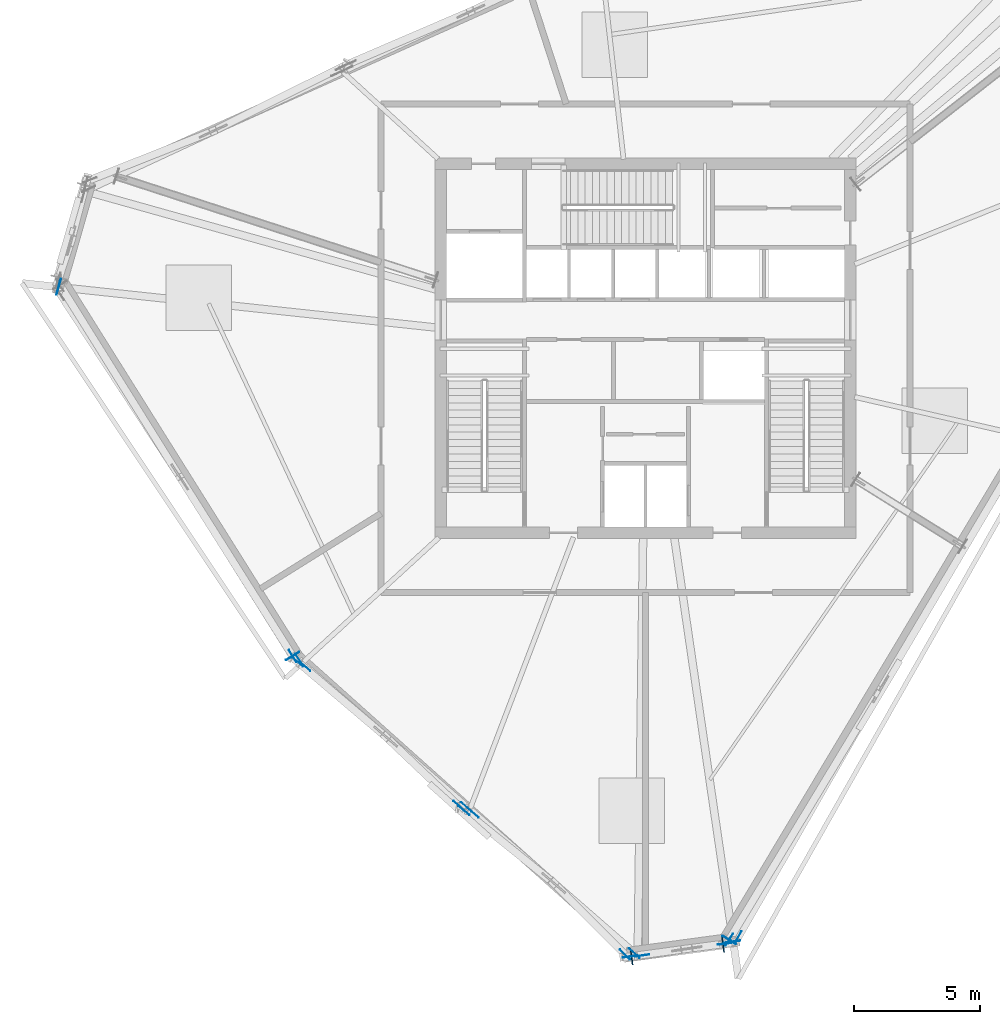
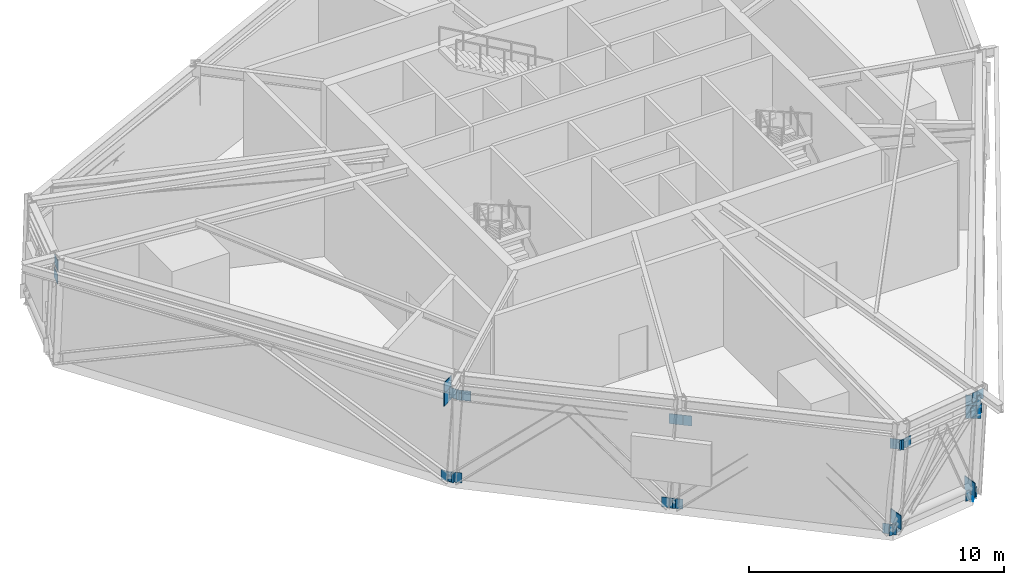
# One storey, part 5 of 15: 26 plates.
"""IFC4 building model written with IfcOpenShell, lengths in metres."""

from ifc_helpers import new_model, si_unit, direction, frame, origin, origin_2d, place, context, subcontext, project, spatial, rectangle, extrude, source, transform, mapped, material, type_object, element, save


model = new_model("IFC4")

# Units and contexts
model_context = context("Model", 3, precision=1e-05, world=origin(), true_north=direction((0.0, 1.0)))
body_context = subcontext(model_context, "Body", "Model", "MODEL_VIEW")
ifc_project = project(units=[si_unit("LENGTHUNIT", "METRE"), si_unit("AREAUNIT", "SQUARE_METRE"), si_unit("VOLUMEUNIT", "CUBIC_METRE"), si_unit("PLANEANGLEUNIT", "RADIAN"), si_unit("MASSUNIT", "GRAM", prefix="KILO")], contexts=[model_context])

# Site, building, storey
site_placement = place(None, origin())
site = spatial("IfcSite", under=ifc_project, at=site_placement, CompositionType="ELEMENT")
building_placement = place(site_placement, origin())
building = spatial("IfcBuilding", under=site, at=building_placement, Name="Olszyna Solenne Hotel", CompositionType="ELEMENT")
storey_placement = place(building_placement, frame((0.0, 0.0, 204.300048828125)))
storey = spatial("IfcBuildingStorey", under=building, at=storey_placement, Name="L54", CompositionType="ELEMENT", Elevation=204.300048828125)

# Plates
ifc_material_1 = material(Name="Steel S460M", Category="steel")
plate_type_1 = type_object("IfcPlateType", Name="GP-CAP2", PredefinedType="USERDEFINED", material=ifc_material_1)
shared_shape_1 = source(origin(), body_context, "Body", "SweptSolid", [
    extrude(rectangle(XDim=0.030029296875, YDim=0.6201171875, at=origin_2d()), origin(), (0.0, 0.0, 1.0), 0.6201171875),
])
for number, where, z_axis, x_axis, name in (
    (1, (23.993408203125, 14.382568359375, 3.619873046875), (0.0, 0.0, 1.0), (0.531398579518, -0.847121921382, 0.0), "Hollow section end-cap plate GP-CAP2 CP-WT-WT-L54-21-2"),
    (2, (23.993408203125, 14.382568359375, 4.119873046875), (0.0, 0.0, 1.0), (0.531398579518, -0.847121921382, 0.0), "Hollow section end-cap plate GP-CAP2 CP-WT-WT-L54-22-2"),
    (3, (41.318603515625, 3.11279296875, 3.619873046875), (0.0, 0.0, 1.0), (0.513691004814, 0.857975262798, 0.0), "Hollow section end-cap plate GP-CAP2 CP-WT-WT-L54-31-1"),
    (4, (41.318603515625, 3.11279296875, 4.119873046875), (0.0, 0.0, 1.0), (0.513691004814, 0.857975262798, 0.0), "Hollow section end-cap plate GP-CAP2 CP-WT-WT-L54-32-1"),
):
    element("IfcPlate", number, at=place(storey_placement, frame(where, z_axis=z_axis, x_axis=x_axis)), inside=storey, type_object=plate_type_1, Name=name, ObjectType="GUSSET_PLATE", PredefinedType="USERDEFINED", context=body_context, shape_type="MappedRepresentation", body=[
        mapped(shared_shape_1, transform((0.0, 0.0, 0.0), x_axis=(1.0, 0.0, 0.0), y_axis=(0.0, 1.0, 0.0), z_axis=(0.0, 0.0, 1.0), scale=1.0)),
    ])
ifc_material_2 = material(Name="Steel S355J2", Category="steel")
plate_type_2 = type_object("IfcPlateType", Name="GP-ND2", PredefinedType="USERDEFINED", material=ifc_material_2)
shared_shape_2 = source(origin(), body_context, "Body", "SweptSolid", [
    extrude(rectangle(XDim=0.56005859375, YDim=0.02001953125, at=origin_2d()), origin(), (0.0, 0.0, 1.0), 0.47998046875),
])
for number, where, z_axis, x_axis, name in (
    (5, (14.693115234375, 28.994384765625, 4.462646484375), (0.0, 0.0, 1.0), (-0.255108257352, -0.966912497091, 0.0), "Brace end connection gusset plate GP-ND2 EP-BR-L54-2-2"),
    (6, (37.37841796875, 2.45068359375, -0.126220703125), (0.0, 0.0, 1.0), (0.989825957496, 0.142283427941, 0.0), "Brace end connection gusset plate GP-ND2 EP-BR-L54-3-1"),
    (7, (41.486572265625, 3.041259765625, 4.461181640625), (0.0, 0.0, 1.0), (0.989825957496, 0.142283427941, 0.0), "Brace end connection gusset plate GP-ND2 EP-BR-L54-3-2"),
    (8, (14.7158203125, 29.075927734375, 3.7900390625), (0.0, 0.0, 1.0), (-0.260504508643, -0.965472630879, 0.0), "Brace end connection gusset plate GP-ND2 EP-CH-L54-05-2"),
    (9, (24.248779296875, 14.2392578125, 3.7900390625), (0.0, 0.0, 1.0), (0.546978918409, -0.837146380758, 0.0), "Brace end connection gusset plate GP-ND2 EP-CH-L54-06-2"),
    (10, (23.9921875, 14.3837890625, -0.16064453125), (0.0, 0.0, 1.0), (-0.533319268711, 0.84591403678, 0.0), "Brace end connection gusset plate GP-ND2 EP-BT-L54-06-2-1"),
    (11, (24.48291015625, 13.97021484375, 3.7900390625), (0.0, 0.0, 1.0), (0.754022143124, -0.656848999146, 0.0), "Brace end connection gusset plate GP-ND2 EP-CH-L54-07-1"),
    (12, (30.883056640625, 8.395751953125, 3.7900390625), (0.0, 0.0, 1.0), (0.754022143124, -0.656848999146, 0.0), "Brace end connection gusset plate GP-ND2 EP-CH-L54-07-2"),
    (13, (24.19189453125, 14.147216796875, -0.129150390625), (0.0, 0.0, 1.0), (0.76232956683, -0.647189023035, 0.0), "Brace end connection gusset plate GP-ND2 EP-BT-L54-07-1-1"),
    (14, (30.580810546875, 8.435546875, -0.1220703125), (0.0, 0.0, 1.0), (-0.725734693176, 0.68797467622, 0.0), "Brace end connection gusset plate GP-ND2 EP-BT-L54-07-2-1"),
    (15, (31.15478515625, 8.1591796875, 3.7900390625), (0.0, 0.0, 1.0), (0.754022143124, -0.656848999146, 0.0), "Brace end connection gusset plate GP-ND2 EP-CH-L54-08-1"),
    (16, (37.5546875, 2.584716796875, 3.7900390625), (0.0, 0.0, 1.0), (0.754022143124, -0.656848999146, 0.0), "Brace end connection gusset plate GP-ND2 EP-CH-L54-08-2"),
    (17, (30.7958984375, 8.24658203125, -0.12890625), (0.0, 0.0, 1.0), (0.777914241173, -0.628370458711, 0.0), "Brace end connection gusset plate GP-ND2 EP-BT-L54-08-1-1"),
    (18, (37.184814453125, 2.534912109375, -0.122314453125), (0.0, 0.0, 1.0), (-0.706242359774, 0.707970147154, 0.0), "Brace end connection gusset plate GP-ND2 EP-BT-L54-08-2-1"),
    (19, (37.86865234375, 2.493408203125, 3.7900390625), (0.0, 0.0, 1.0), (0.988756381047, 0.149535343444, 0.0), "Brace end connection gusset plate GP-ND2 EP-CH-L54-09-1"),
    (20, (41.401611328125, 3.02783203125, 3.7900390625), (0.0, 0.0, 1.0), (0.988756381047, 0.149535343444, 0.0), "Brace end connection gusset plate GP-ND2 EP-CH-L54-09-2"),
    (21, (37.394775390625, 2.452392578125, -0.09912109375), (0.0, 0.0, 1.0), (0.990652851697, 0.13640721178, 0.0), "Brace end connection gusset plate GP-ND2 EP-BT-L54-09-1-1"),
    (22, (41.143310546875, 2.958984375, -0.08984375), (0.0, 0.0, 1.0), (-0.991467627391, -0.130353150461, 0.0), "Brace end connection gusset plate GP-ND2 EP-BT-L54-09-2-1"),
    (23, (41.669189453125, 3.210693359375, 3.7900390625), (0.0, 0.0, 1.0), (0.498336430137, 0.866983738255, 0.0), "Brace end connection gusset plate GP-ND2 EP-CH-L54-10-1"),
    (24, (41.32275390625, 3.118896484375, -0.1748046875), (0.0, 0.0, 1.0), (0.517130990138, 0.855906267671, 0.0), "Brace end connection gusset plate GP-ND2 EP-BT-L54-10-1-1"),
):
    element("IfcPlate", number, at=place(storey_placement, frame(where, z_axis=z_axis, x_axis=x_axis)), inside=storey, type_object=plate_type_2, Name=name, ObjectType="GUSSET_PLATE", PredefinedType="USERDEFINED", context=body_context, shape_type="MappedRepresentation", body=[
        mapped(shared_shape_2, transform((0.0, 0.0, 0.0), x_axis=(1.0, 0.0, 0.0), y_axis=(0.0, 1.0, 0.0), z_axis=(0.0, 0.0, 1.0), scale=1.0)),
    ])
plate_type_3 = type_object("IfcPlateType", Name="GP-CAP1", PredefinedType="USERDEFINED", material=ifc_material_1)
shared_shape_3 = source(origin(), body_context, "Body", "SweptSolid", [
    extrude(rectangle(XDim=0.0400390625, YDim=0.659912109375, at=origin_2d()), origin(), (0.0, 0.0, 1.0), 0.659912109375),
])
for number, where, z_axis, x_axis, name in (
    (25, (37.444091796875, 2.458740234375, 0.22021484375), (0.0, 0.0, 1.0), (0.990983199715, 0.133986185418, 0.0), "Hollow section end-cap plate GP-CAP1 CP-CTB-CTB-L54-3-1"),
    (26, (41.0751953125, 2.94970703125, 0.22021484375), (0.0, 0.0, 1.0), (0.990983199715, 0.133986185418, 0.0), "Hollow section end-cap plate GP-CAP1 CP-CTB-CTB-L54-3-2"),
):
    element("IfcPlate", number, at=place(storey_placement, frame(where, z_axis=z_axis, x_axis=x_axis)), inside=storey, type_object=plate_type_3, Name=name, ObjectType="GUSSET_PLATE", PredefinedType="USERDEFINED", context=body_context, shape_type="MappedRepresentation", body=[
        mapped(shared_shape_3, transform((0.0, 0.0, 0.0), x_axis=(1.0, 0.0, 0.0), y_axis=(0.0, 1.0, 0.0), z_axis=(0.0, 0.0, 1.0), scale=1.0)),
    ])

save(model, "model.ifc")
